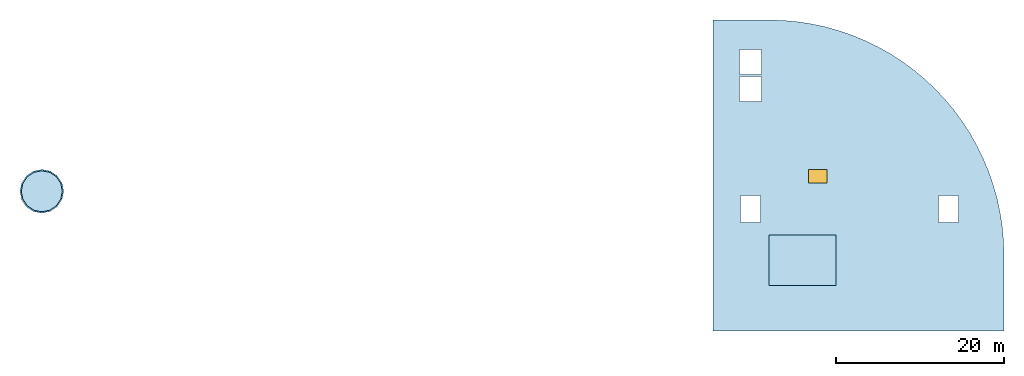
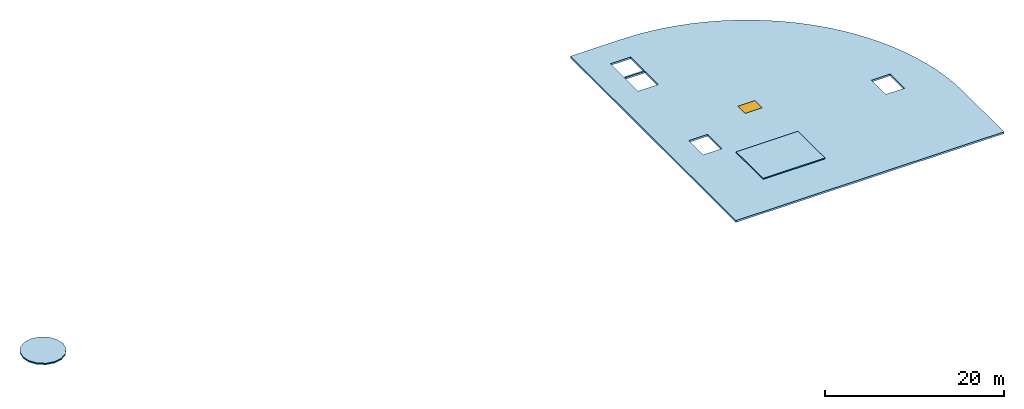
# One storey: 2 roofs, 2 slabs, 1 window, 1 opening.
"""IFC4 building model written with IfcOpenShell, lengths in metres."""

from ifc_helpers import new_model, si_unit, direction, frame, origin, origin_2d, place, context, subcontext, project, spatial, polyline, rectangle, outline, extrude, material, layer, layer_set, type_object, element, fill, save


model = new_model("IFC4")

# Units and contexts
model_context = context("Model", 3, precision=1e-05, world=origin(), true_north=direction((0.0, 1.0)))
body_context = subcontext(model_context, "Body", "Model", "MODEL_VIEW")
ifc_project = project(units=[si_unit("LENGTHUNIT", "METRE"), si_unit("AREAUNIT", "SQUARE_METRE"), si_unit("VOLUMEUNIT", "CUBIC_METRE"), si_unit("PLANEANGLEUNIT", "RADIAN"), si_unit("MASSUNIT", "GRAM", prefix="KILO"), si_unit("THERMODYNAMICTEMPERATUREUNIT", "KELVIN")], contexts=[model_context])

# Site, building, storey
site_placement = place(None, origin())
site = spatial("IfcSite", under=ifc_project, at=site_placement, CompositionType="ELEMENT")
building_placement = place(site_placement, origin())
building = spatial("IfcBuilding", under=site, at=building_placement, Name="Lustrewick Department Store", CompositionType="ELEMENT")
storey_placement = place(building_placement, frame((0.0, 0.0, 40.800048828125)))
storey = spatial("IfcBuildingStorey", under=building, at=storey_placement, Name="ROOF", CompositionType="ELEMENT", Elevation=40.800048828125)

# Slab, opening, window
ifc_material_1 = material(Name="Concrete C35", Category="concrete")
ifc_layer_1 = layer(ifc_material_1, 0.248046875, Name="Concrete C35")
ifc_layer_set_1 = layer_set([ifc_layer_1], Name="Concrete C35")
slab_type_1 = type_object("IfcSlabType", Name="RS01", PredefinedType="ROOF", material=ifc_layer_set_1)
slab_1_placement = place(storey_placement, frame((0.0, 0.0, -0.248046875)))
slab_1 = element("IfcSlab", 1, at=slab_1_placement, inside=storey, type_object=slab_type_1, Name="ROOF Flat Roof Slab V4-CROWN-L08", PredefinedType="ROOF", context=body_context, shape_type="SweptSolid", body=[
    extrude(outline(polyline([(109.35009765625, 50.550048828125), (144.0, 50.550048828125), (144.0, 59.60009765625), (143.948974609375, 61.29052734375), (143.7958984375, 62.97509765625), (143.54150390625, 64.647216796875), (143.186279296875, 66.30078125), (142.732177734375, 67.93017578125), (142.180419921875, 69.52880859375), (141.533203125, 71.091552734375), (140.792724609375, 72.6123046875), (139.9619140625, 74.08544921875), (139.04345703125, 75.505859375), (138.041015625, 76.8681640625), (136.958251953125, 78.16748046875), (135.799072265625, 79.39892578125), (134.5673828125, 80.558349609375), (133.26806640625, 81.64111328125), (131.90576171875, 82.6435546875), (130.485595703125, 83.56201171875), (129.01220703125, 84.392822265625), (127.49169921875, 85.13330078125), (125.928955078125, 85.780517578125), (124.330078125, 86.332275390625), (122.70068359375, 86.786376953125), (121.047119140625, 87.141357421875), (119.375, 87.395751953125), (117.690673828125, 87.548828125), (116.0, 87.60009765625), (109.35009765625, 87.60009765625), (109.35009765625, 50.550048828125)]), holes=[polyline([(112.60009765625, 66.699951171875), (115.0, 66.699951171875), (115.0, 63.5), (112.60009765625, 63.5), (112.60009765625, 66.699951171875)]), polyline([(136.199951171875, 66.699951171875), (138.60009765625, 66.699951171875), (138.60009765625, 63.5), (136.199951171875, 63.5), (136.199951171875, 66.699951171875)]), polyline([(112.5, 80.89990234375), (115.10009765625, 80.89990234375), (115.10009765625, 77.89990234375), (112.5, 77.89990234375), (112.5, 80.89990234375)]), polyline([(112.5, 84.10009765625), (115.10009765625, 84.10009765625), (115.10009765625, 81.10009765625), (112.5, 81.10009765625), (112.5, 84.10009765625)])]), origin(), (0.0, 0.0, 1.0), 0.248046875),
])
opening_placement = place(slab_1_placement, frame((121.800048828125, 68.96484375, -0.010009765625)))
opening = element("IfcOpeningElement", 2, at=opening_placement, cuts=slab_1, Name="Opening SK06", PredefinedType="OPENING", context=body_context, shape_type="SweptSolid", body=[
    extrude(rectangle(XDim=2.199951171875, YDim=1.60009765625, at=origin_2d()), origin(), (0.0, 0.0, 1.0), 0.26806640625),
])
ifc_material_2 = material(Name="Thermally broken Low-E triple-glazed skylight", Category="glass")
window_type = type_object("IfcWindowType", Name="SK06", PartitioningType="SINGLE_PANEL", PredefinedType="SKYLIGHT", material=ifc_material_2)
window_placement = place(opening_placement, frame((0.0, 0.0, 0.2080078125)))
window = element("IfcWindow", 3, at=window_placement, inside=storey, type_object=window_type, Name="ROOF Roof Skylight SK06", OverallHeight=1.60009765625, OverallWidth=2.199951171875, PartitioningType="SINGLE_PANEL", PredefinedType="SKYLIGHT", context=body_context, shape_type="SweptSolid", body=[
    extrude(rectangle(XDim=2.199951171875, YDim=1.60009765625, at=origin_2d()), origin(), (0.0, 0.0, 1.0), 0.050048828125),
])
fill(opening, window)

# Slab
ifc_material_3 = material(Name="Low-E laminated safety glass", Category="glass")
ifc_layer_2 = layer(ifc_material_3, 0.1201171875, Name="Low-E laminated safety glass")
ifc_layer_set_2 = layer_set([ifc_layer_2], Name="Low-E laminated safety glass")
slab_type_2 = type_object("IfcSlabType", Name="RS03", PredefinedType="ROOF", material=ifc_layer_set_2)
slab_2_placement = place(storey_placement, frame((0.0, 0.0, 0.079833984375)))
element("IfcSlab", 4, at=slab_2_placement, inside=storey, type_object=slab_type_2, Name="V1 Dome Oculus Glazed Lantern Cap", PredefinedType="ROOF", context=body_context, shape_type="SweptSolid", body=[
    extrude(outline(polyline([(32.0, 67.199951171875), (31.802001953125, 68.195068359375), (31.238525390625, 69.03857421875), (30.39501953125, 69.60205078125), (29.39990234375, 69.800048828125), (28.405029296875, 69.60205078125), (27.5615234375, 69.03857421875), (26.997802734375, 68.195068359375), (26.800048828125, 67.199951171875), (26.997802734375, 66.205078125), (27.5615234375, 65.361572265625), (28.405029296875, 64.7978515625), (29.39990234375, 64.60009765625), (30.39501953125, 64.7978515625), (31.238525390625, 65.361572265625), (31.802001953125, 66.205078125), (32.0, 67.199951171875)])), origin(), (0.0, 0.0, 1.0), 0.1201171875),
])

# Roofs
ifc_layer_3 = layer(ifc_material_1, 0.139892578125, Name="Concrete C35")
ifc_layer_set_3 = layer_set([ifc_layer_3], Name="Concrete C35")
roof_type_1 = type_object("IfcRoofType", Name="RF-DOME", PredefinedType="DOME_ROOF", material=ifc_layer_set_3)
roof_1_placement = place(storey_placement, frame((0.0, 0.0, -0.01513671875)))
element("IfcRoof", 5, at=roof_1_placement, inside=storey, type_object=roof_type_1, Name="V1 Radial Atrium Dome Roof", PredefinedType="DOME_ROOF", context=body_context, shape_type="SweptSolid", body=[
    extrude(outline(polyline([(31.989990234375, 67.199951171875), (31.792724609375, 68.191162109375), (31.2314453125, 69.031494140625), (30.39111328125, 69.5927734375), (29.39990234375, 69.7900390625), (28.40869140625, 69.5927734375), (27.568603515625, 69.031494140625), (27.007080078125, 68.191162109375), (26.81005859375, 67.199951171875), (27.007080078125, 66.208740234375), (27.568603515625, 65.36865234375), (28.40869140625, 64.80712890625), (29.39990234375, 64.610107421875), (30.39111328125, 64.80712890625), (31.2314453125, 65.36865234375), (31.792724609375, 66.208740234375), (31.989990234375, 67.199951171875)]), holes=[polyline([(31.654296875, 66.266357421875), (31.125244140625, 65.474609375), (30.333740234375, 64.94580078125), (29.39990234375, 64.760009765625), (28.46630859375, 64.94580078125), (27.6748046875, 65.474609375), (27.145751953125, 66.266357421875), (26.9599609375, 67.199951171875), (27.145751953125, 68.1337890625), (27.6748046875, 68.92529296875), (28.46630859375, 69.454345703125), (29.39990234375, 69.639892578125), (30.333740234375, 69.454345703125), (31.125244140625, 68.92529296875), (31.654296875, 68.1337890625), (31.840087890625, 67.199951171875), (31.654296875, 66.266357421875)])]), origin(), (0.0, 0.0, 1.0), 0.093017578125),
])
ifc_layer_4 = layer(ifc_material_1, 0.139892578125, Name="Concrete C35")
ifc_layer_set_4 = layer_set([ifc_layer_4], Name="Concrete C35")
roof_type_2 = type_object("IfcRoofType", Name="RF-FLAT", PredefinedType="FLAT_ROOF", material=ifc_layer_set_4)
roof_2_placement = place(storey_placement, origin())
element("IfcRoof", 6, at=roof_2_placement, inside=storey, type_object=roof_type_2, Name="V4 Crown Flat Roof", PredefinedType="FLAT_ROOF", context=body_context, shape_type="SweptSolid", body=[
    extrude(outline(polyline([(124.0, 56.0), (124.0, 62.0), (116.0, 62.0), (116.0, 56.0), (124.0, 56.0)])), origin(), (0.0, 0.0, 1.0), 0.139892578125),
])

save(model, "model.ifc")
